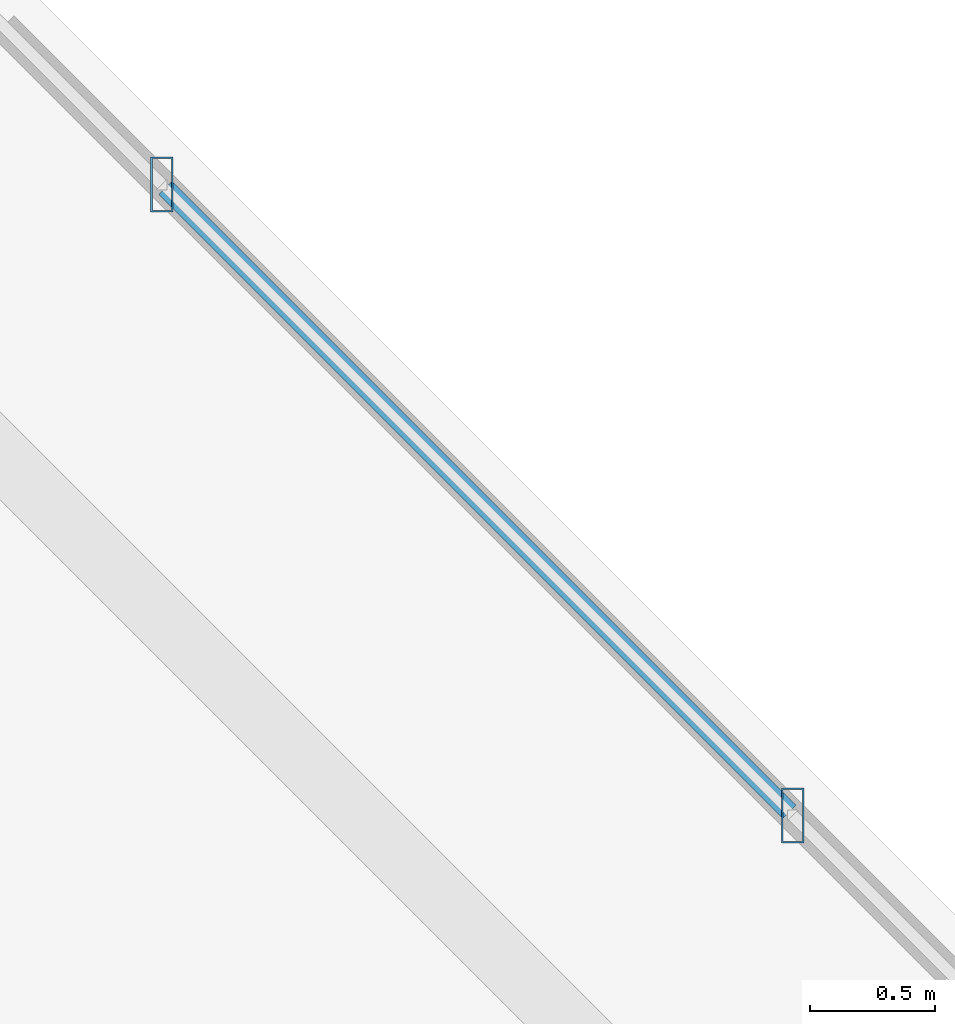
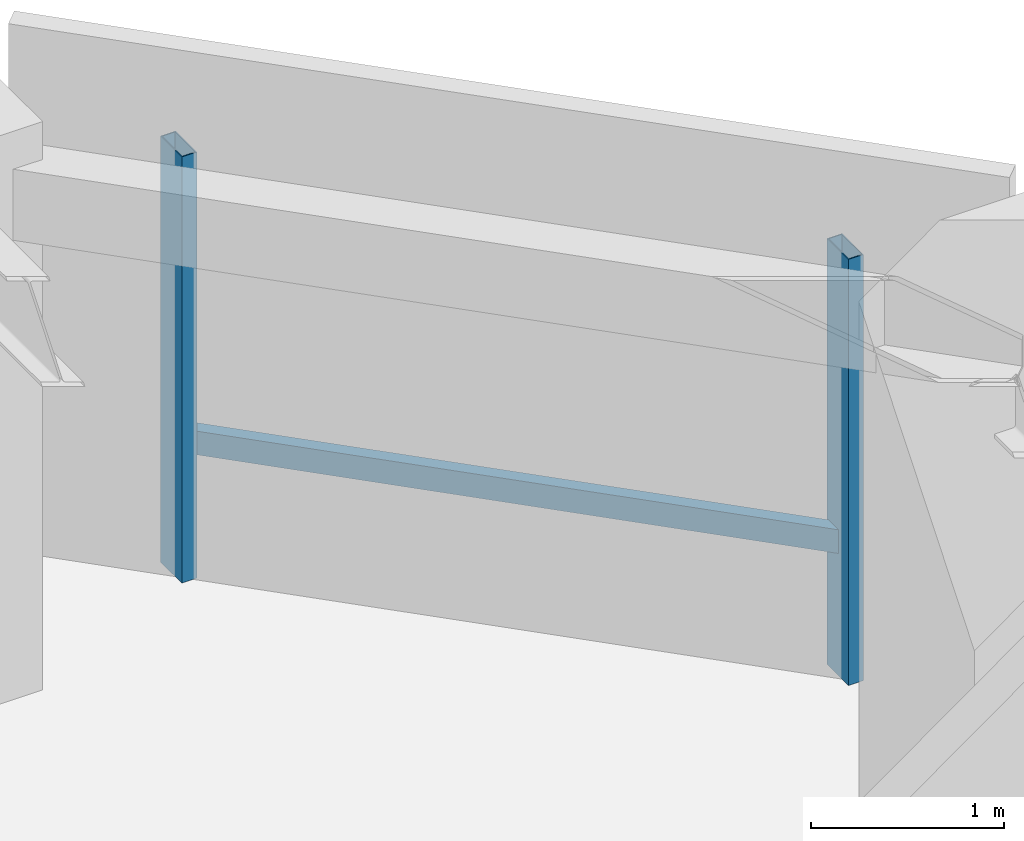
# One storey, part 17 of 33: 3 members, 1 element without a shape of its own.
"""IFC4 building model written with IfcOpenShell, lengths in metres."""

import ifcopenshell
import ifcopenshell.guid

model = None  # the IFC model being written
_history = None  # IfcOwnerHistory: only IFC2X3 demands one
_inside = {}  # id of a spatial element -> (the spatial element, [elements in it])
_under = {}  # id of a project, library or spatial element -> (it, [spatial elements below it])
_declared = {}  # id of a project -> (the project, [libraries it declares])
_typed = {}  # id of a type object -> (the type object, [elements of that type])
_made_of = {}  # id of a material, layer set ... -> (it, [elements and type objects made of it])


def new_model(schema):
    """Start an empty IFC model of exactly this schema.

    Asked for "IFC4X3", IfcOpenShell would pick the latest addendum, in which some entities
    have other attributes; the version numbers below select the first issue.
    IFC2X3 requires an IfcOwnerHistory on every rooted entity: one is made here for all.
    """
    global model, _history
    if schema == "IFC4X3":
        model = ifcopenshell.file(schema_version=(4, 3, 0, 0))
    else:
        model = ifcopenshell.file(schema=schema)
    _inside.clear()
    _under.clear()
    _declared.clear()
    _typed.clear()
    _made_of.clear()
    _history = None
    if model.schema == "IFC2X3":
        org = make("IfcOrganization", Name="unknown")
        user = make(
            "IfcPersonAndOrganization",
            ThePerson=make("IfcPerson", FamilyName="unknown"),
            TheOrganization=org,
        )
        app = make(
            "IfcApplication",
            ApplicationDeveloper=org,
            Version="unknown",
            ApplicationFullName="unknown",
            ApplicationIdentifier="unknown",
        )
        _history = make(
            "IfcOwnerHistory",
            OwningUser=user,
            OwningApplication=app,
            ChangeAction="ADDED",
            CreationDate=0,
        )
    return model


def make(cls, **values):
    """One entity of the class cls with the attributes given. An attribute that is None is left unset."""
    return model.create_entity(
        cls, **{name: value for name, value in values.items() if value is not None}
    )


def rooted(cls, **values):
    """An entity with a GlobalId (a new one), such as an element, a storey or a relation."""
    return make(cls, GlobalId=ifcopenshell.guid.new(), OwnerHistory=_history, **values)


def si_unit(unit_type, name, prefix=None):
    """IfcSIUnit, for example si_unit("LENGTHUNIT", "METRE", prefix="MILLI")."""
    return make("IfcSIUnit", UnitType=unit_type, Prefix=prefix, Name=name)


def assignment(units):
    """IfcUnitAssignment: the units of a project."""
    return None if units is None else make("IfcUnitAssignment", Units=units)


def point(xyz):
    """IfcCartesianPoint."""
    return None if xyz is None else make("IfcCartesianPoint", Coordinates=xyz)


def direction(xyz):
    """IfcDirection."""
    return None if xyz is None else make("IfcDirection", DirectionRatios=xyz)


def frame(location, z_axis=None, x_axis=None):
    """IfcAxis2Placement3D, a coordinate frame: its origin and axes. An axis left out is left unset."""
    return make(
        "IfcAxis2Placement3D",
        Location=point(location),
        Axis=direction(z_axis),
        RefDirection=direction(x_axis),
    )


def frame_2d(location, x_axis=None):
    """IfcAxis2Placement2D, a coordinate frame in the plane: its origin and x axis."""
    return make(
        "IfcAxis2Placement2D", Location=point(location), RefDirection=direction(x_axis)
    )


def origin():
    """The frame at (0, 0, 0) with its axes left unset."""
    return frame((0.0, 0.0, 0.0))


def origin_2d():
    """The frame at (0, 0) in the plane with its x axis left unset."""
    return frame_2d((0.0, 0.0))


def place(relative_to, where):
    """IfcLocalPlacement: puts the frame where relative to a parent placement (None: the world)."""
    return make(
        "IfcLocalPlacement", PlacementRelTo=relative_to, RelativePlacement=where
    )


def context(
    kind, dimensions, precision=None, world=None, true_north=None, identifier=None
):
    """IfcGeometricRepresentationContext, for example the 3D "Model" context."""
    return make(
        "IfcGeometricRepresentationContext",
        ContextIdentifier=identifier,
        ContextType=kind,
        CoordinateSpaceDimension=dimensions,
        Precision=precision,
        WorldCoordinateSystem=world,
        TrueNorth=true_north,
    )


def subcontext(parent, identifier, kind, view, scale=None):
    """IfcGeometricRepresentationSubContext, for example "Body" below "Model"."""
    return make(
        "IfcGeometricRepresentationSubContext",
        ContextIdentifier=identifier,
        ContextType=kind,
        ParentContext=parent,
        TargetScale=scale,
        TargetView=view,
    )


def project(units=None, contexts=None):
    """IfcProject with its units and contexts."""
    return rooted(
        "IfcProject",
        Name="project",
        RepresentationContexts=contexts,
        UnitsInContext=assignment(units),
    )


def spatial(cls, under=None, at=None, **own):
    """A site, building, storey or space (cls), placed at a placement, below another one or the project."""
    s = rooted(cls, ObjectPlacement=at, **own)
    if under is not None:
        _under.setdefault(under.id(), (under, []))[1].append(s)
    return s


def profile(cls, at=None, kind="AREA", **sizes):
    """A parametric profile (cls). Its sizes go by their IFC names, for example OverallWidth=200.0."""
    return make(cls, ProfileType=kind, Position=at, **sizes)


def hollow_rectangle(**sizes):
    """IfcRectangleHollowProfileDef."""
    return profile("IfcRectangleHollowProfileDef", **sizes)


def extrude(swept, where, along, depth):
    """IfcExtrudedAreaSolid: the profile swept, set in the frame where, extruded along a direction by depth."""
    return make(
        "IfcExtrudedAreaSolid",
        SweptArea=swept,
        Position=where,
        ExtrudedDirection=direction(along),
        Depth=depth,
    )


def shape(context_of_items, identifier, shape_type, items):
    """IfcShapeRepresentation: the items that make up one representation, for example the "Body"."""
    return make(
        "IfcShapeRepresentation",
        ContextOfItems=context_of_items,
        RepresentationIdentifier=identifier,
        RepresentationType=shape_type,
        Items=items,
    )


def material(Name=None, Category=None):
    """IfcMaterial."""
    return make("IfcMaterial", Name=Name, Category=Category)


def material_profile(
    of_material, cross_section, Name=None, Category=None, Priority=None
):
    """IfcMaterialProfile: a cross section and its material."""
    return make(
        "IfcMaterialProfile",
        Name=Name,
        Material=of_material,
        Profile=cross_section,
        Priority=Priority,
        Category=Category,
    )


def profile_set(profiles, Name=None, composite=None):
    """IfcMaterialProfileSet."""
    return make(
        "IfcMaterialProfileSet",
        Name=Name,
        MaterialProfiles=profiles,
        CompositeProfile=composite,
    )


def made_of(thing, what):
    """Note that an element or type object is made of a material, layer set ...; save() writes the relation."""
    if what is not None:
        _made_of.setdefault(what.id(), (what, []))[1].append(thing)
    return thing


def type_object(cls, material=None, **own):
    """A type object (cls), such as IfcWallType, which elements share."""
    return made_of(rooted(cls, **own), material)


def element(
    cls,
    number,
    at=None,
    inside=None,
    cuts=None,
    type_object=None,
    material=None,
    context=None,
    identifier="Body",
    shape_type=None,
    held_by="IfcProductDefinitionShape",
    body=None,
    shapes=None,
    **own,
):
    """One element of the class cls, such as IfcWall. Its Tag is "e" and its number.

    at: its placement. inside: the storey or other place that contains it. cuts: it is an
    opening in that element (IfcRelVoidsElement). A single representation is given by context,
    identifier, shape_type and body (its items); several are given by shapes. held_by: the class
    of the entity that holds the representations. save() writes the other relations.
    """
    e = rooted(cls, Tag="e%d" % number, ObjectPlacement=at, **own)
    if body is not None:
        shapes = [shape(context, identifier, shape_type, body)]
    if shapes is not None:
        e.Representation = make(held_by, Representations=shapes)
    if inside is not None:
        _inside.setdefault(inside.id(), (inside, []))[1].append(e)
    if cuts is not None:
        rooted(
            "IfcRelVoidsElement", RelatingBuildingElement=cuts, RelatedOpeningElement=e
        )
    if type_object is not None:
        _typed.setdefault(type_object.id(), (type_object, []))[1].append(e)
    return made_of(e, material)


def aggregate(whole, parts):
    """IfcRelAggregates: a whole, such as a stair, and the parts it consists of."""
    return rooted("IfcRelAggregates", RelatingObject=whole, RelatedObjects=parts)


def save(model, path):
    """Write the relations noted so far, then the file.

    IfcRelAggregates (storeys below a building ...), IfcRelContainedInSpatialStructure (elements
    in a storey), IfcRelDefinesByType, IfcRelAssociatesMaterial and IfcRelDeclares: one each for
    every whole, place, type object, material and project.
    """
    for whole, parts in _under.values():
        aggregate(whole, parts)
    for where, things in _inside.values():
        rooted(
            "IfcRelContainedInSpatialStructure",
            RelatedElements=things,
            RelatingStructure=where,
        )
    for kind, things in _typed.values():
        rooted("IfcRelDefinesByType", RelatedObjects=things, RelatingType=kind)
    for what, things in _made_of.values():
        rooted("IfcRelAssociatesMaterial", RelatedObjects=things, RelatingMaterial=what)
    for by, libraries in _declared.values():
        rooted("IfcRelDeclares", RelatingContext=by, RelatedDefinitions=libraries)
    model.write(path)


model = new_model("IFC4")

# Units and contexts
model_context = context("Model", 3, precision=1e-05, world=origin(), true_north=direction((0.0, 1.0)))
body_context = subcontext(model_context, "Body", "Model", "MODEL_VIEW")
ifc_project = project(units=[si_unit("LENGTHUNIT", "METRE"), si_unit("AREAUNIT", "SQUARE_METRE"), si_unit("VOLUMEUNIT", "CUBIC_METRE"), si_unit("PLANEANGLEUNIT", "RADIAN"), si_unit("MASSUNIT", "GRAM", prefix="KILO")], contexts=[model_context])

# Site, building, storey
site_placement = place(None, origin())
site = spatial("IfcSite", under=ifc_project, at=site_placement, CompositionType="ELEMENT")
building_placement = place(site_placement, origin())
building = spatial("IfcBuilding", under=site, at=building_placement, Name="Thornwick Lancets Civic Towers", CompositionType="ELEMENT")
storey_placement = place(building_placement, frame((0.0, 0.0, 101.699951171875)))
storey = spatial("IfcBuildingStorey", under=building, at=storey_placement, Name="L26", CompositionType="ELEMENT", Elevation=101.699951171875)

# Curtain wall, members
ifc_material_1 = material(Name="Low-zone chamfered-corner unitised glass curtain wall", Category="glass")
curtain_wall_type = type_object("IfcCurtainWallType", Name="CW_SYS_03", PredefinedType="NOTDEFINED", material=ifc_material_1)
curtain_wall_placement = place(storey_placement, origin())
curtain_wall = element("IfcCurtainWall", 1, at=curtain_wall_placement, inside=storey, type_object=curtain_wall_type, Name="L26 Curtain Wall CW-L26-B-E3", PredefinedType="NOTDEFINED")
ifc_material_2 = material(Name="Thermally broken bronze aluminium S355", Category="steel")
ifc_material_profile_1 = material_profile(ifc_material_2, hollow_rectangle(XDim=0.090087890625, YDim=0.219970703125, WallThickness=0.00634765625, at=origin_2d()), Name="RHS 220x90x6.3")
ifc_profile_set_1 = profile_set([ifc_material_profile_1], Name="Thermally broken bronze aluminium S355")
member_type_1 = type_object("IfcMemberType", Name="CW_MUL_220", PredefinedType="MULLION", material=ifc_profile_set_1)
member_1_placement = place(storey_placement, frame((105.784912109375, 41.752685546875, 0.0), z_axis=(0.0, 0.0, 1.0), x_axis=(1.0, 0.0, 0.0)))
member_1 = element("IfcMember", 2, at=member_1_placement, type_object=member_type_1, Name="CW-L26-B-E3 Mullion 0", PredefinedType="MULLION", context=body_context, shape_type="SweptSolid", body=[
    extrude(hollow_rectangle(XDim=0.090087890625, YDim=0.219970703125, WallThickness=0.00634765625, at=origin_2d()), origin(), (0.0, 0.0, 1.0), 2.699951171875),
])
member_2_placement = place(storey_placement, frame((103.252685546875, 44.284912109375, 0.0), z_axis=(0.0, 0.0, 1.0), x_axis=(1.0, 0.0, 0.0)))
member_2 = element("IfcMember", 3, at=member_2_placement, type_object=member_type_1, Name="CW-L26-B-E3 Mullion 1", PredefinedType="MULLION", context=body_context, shape_type="SweptSolid", body=[
    extrude(hollow_rectangle(XDim=0.090087890625, YDim=0.219970703125, WallThickness=0.00634765625, at=origin_2d()), origin(), (0.0, 0.0, 1.0), 2.699951171875),
])
ifc_material_profile_2 = material_profile(ifc_material_2, hollow_rectangle(XDim=0.074951171875, YDim=0.14990234375, WallThickness=0.0048828125, at=origin_2d()), Name="RHS 150x75x5")
ifc_profile_set_2 = profile_set([ifc_material_profile_2], Name="Thermally broken bronze aluminium S355")
member_type_2 = type_object("IfcMemberType", Name="CW_TRN_150", PredefinedType="USERDEFINED", material=ifc_profile_set_2)
member_3_placement = place(storey_placement, frame((105.77099609375, 41.766845703125, 0.85009765625), z_axis=(-0.707106781187, 0.707106781187, 0.0), x_axis=(-0.707106781187, -0.707106781187, 0.0)))
member_3 = element("IfcMember", 4, at=member_3_placement, type_object=member_type_2, Name="CW-L26-B-E3 Transom 0", ObjectType="TRANSOM", PredefinedType="USERDEFINED", context=body_context, shape_type="SweptSolid", body=[
    extrude(hollow_rectangle(XDim=0.074951171875, YDim=0.14990234375, WallThickness=0.0048828125, at=origin_2d()), origin(), (0.0, 0.0, 1.0), 3.54150390625),
])
aggregate(curtain_wall, [member_1, member_2, member_3])

save(model, "model.ifc")
